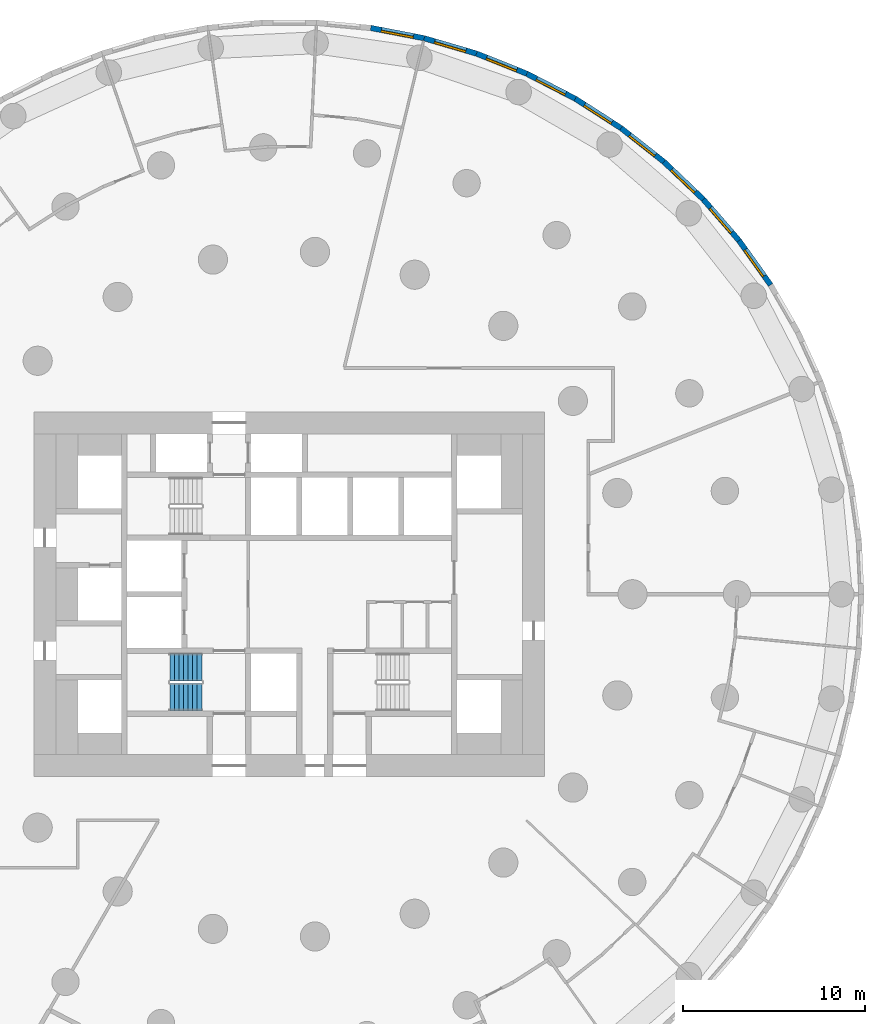
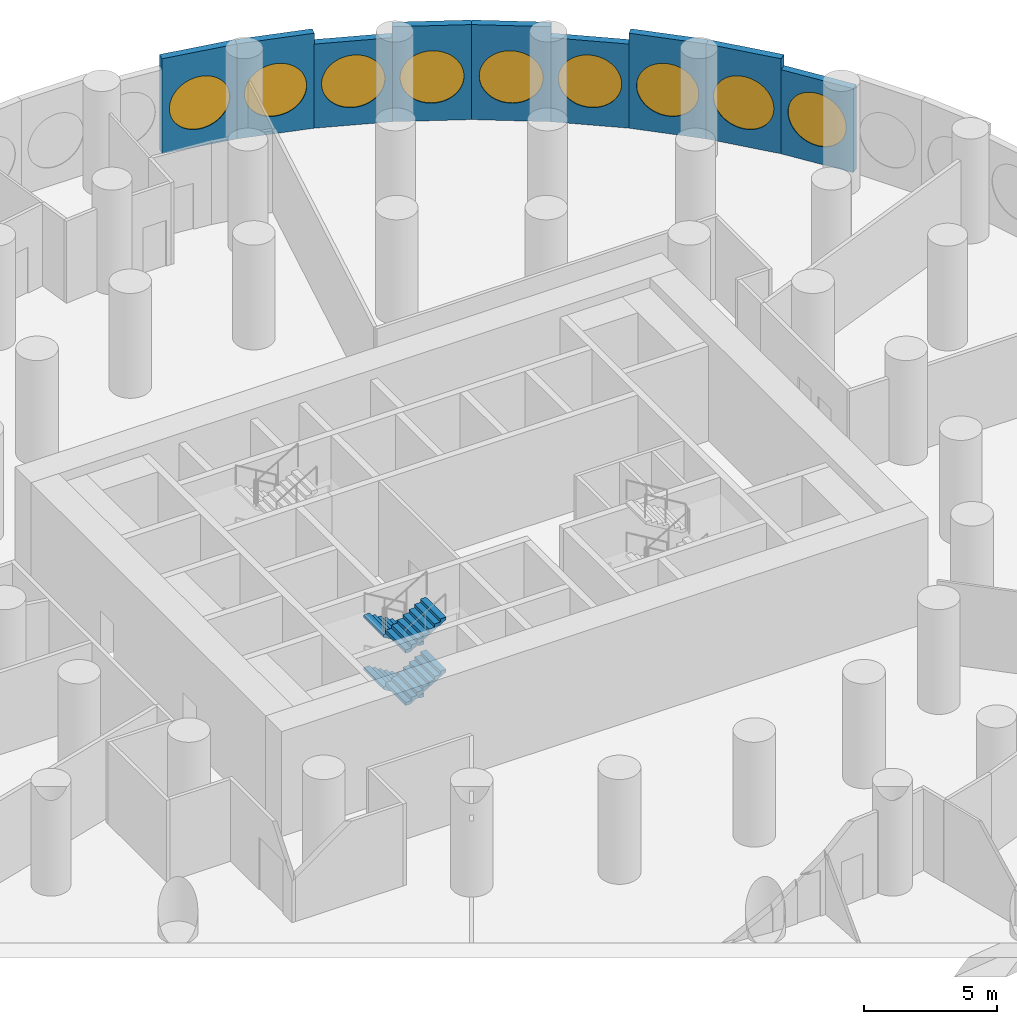
# One storey, part 9 of 11: 9 walls, 9 windows, 4 stair flights, 9 openings, 1 element without a shape of its own.
"""IFC4 building model written with IfcOpenShell, lengths in metres."""

from ifc_helpers import new_model, si_unit, direction, frame, frame_2d, origin, origin_2d, place, context, subcontext, project, spatial, polyline, rectangle, circle, outline, extrude, material, layer, layer_set, type_object, element, fill, aggregate, save


model = new_model("IFC4")

# Units and contexts
model_context = context("Model", 3, precision=1e-05, world=origin(), true_north=direction((0.0, 1.0)))
body_context = subcontext(model_context, "Body", "Model", "MODEL_VIEW")
ifc_project = project(units=[si_unit("LENGTHUNIT", "METRE"), si_unit("AREAUNIT", "SQUARE_METRE"), si_unit("VOLUMEUNIT", "CUBIC_METRE"), si_unit("PLANEANGLEUNIT", "RADIAN"), si_unit("MASSUNIT", "GRAM", prefix="KILO")], contexts=[model_context])

# Site, building, storey
site_placement = place(None, origin())
site = spatial("IfcSite", under=ifc_project, at=site_placement, CompositionType="ELEMENT")
building_placement = place(site_placement, origin())
building = spatial("IfcBuilding", under=site, at=building_placement, Name="Tracery Tower", CompositionType="ELEMENT")
storey_placement = place(building_placement, frame((0.0, 0.0, 23.39990234375)))
storey = spatial("IfcBuildingStorey", under=building, at=storey_placement, Name="L04", CompositionType="ELEMENT", Elevation=23.39990234375)

# Wall, opening, window
ifc_material_1 = material(Name="Precast concrete C50/60", Category="concrete")
ifc_layer_1 = layer(ifc_material_1, 0.300048828125)
ifc_layer_set_1 = layer_set([ifc_layer_1], Name="Facade panel 3000 x 3850")
wall_type_1 = type_object("IfcWallType", Name="Facade panel 3000 x 3850", PredefinedType="SOLIDWALL", material=ifc_layer_set_1)
wall_1_placement = place(storey_placement, frame((26.393798828125, 16.96240234375, 0.0), z_axis=(0.0, 0.0, 1.0), x_axis=(-0.580100533892, 0.814544885551, 0.0)))
wall_1 = element("IfcWall", 1, at=wall_1_placement, inside=storey, type_object=wall_type_1, Name="Facade panel 7 at L04", PredefinedType="SOLIDWALL", context=body_context, shape_type="SweptSolid", body=[
    extrude(rectangle(XDim=2.985595703125, YDim=0.300048828125, at=frame_2d((1.49267578125, 0.0))), origin(), (0.0, 0.0, 1.0), 3.85009765625),
])
opening_1_placement = place(wall_1_placement, frame((1.492919921875, 0.0, 2.0)))
opening_1 = element("IfcOpeningElement", 2, at=opening_1_placement, cuts=wall_1, Name="Opening WN2", PredefinedType="OPENING", context=body_context, shape_type="SweptSolid", body=[
    extrude(circle(Radius=1.199951171875, at=origin_2d()), frame((0.0, 0.159912109375, 0.0), z_axis=(0.0, -1.0, 0.0), x_axis=(1.0, 0.0, 0.0)), (0.0, 0.0, 1.0), 0.320068359375),
])
ifc_material_2 = material(Name="Aluminium frame with tinted double glazing", Category="aluminium")
window_type = type_object("IfcWindowType", Name="Round window 2400", PartitioningType="SINGLE_PANEL", PredefinedType="WINDOW", material=ifc_material_2)
window_1_placement = place(opening_1_placement, origin())
window_1 = element("IfcWindow", 3, at=window_1_placement, inside=storey, type_object=window_type, Name="Round window 7 at L04", OverallHeight=2.39990234375, OverallWidth=2.39990234375, PartitioningType="SINGLE_PANEL", PredefinedType="WINDOW", context=body_context, shape_type="SweptSolid", body=[
    extrude(circle(Radius=1.199951171875, at=origin_2d()), frame((0.0, 0.1201171875, 0.0), z_axis=(0.0, -1.0, 0.0), x_axis=(1.0, 0.0, 0.0)), (0.0, 0.0, 1.0), 0.10009765625),
])
fill(opening_1, window_1)

wall_2_placement = place(storey_placement, frame((20.5458984375, 23.711181640625, 0.0), z_axis=(0.0, 0.0, 1.0), x_axis=(-0.786043032847, 0.618171780747, 0.0)))
wall_2 = element("IfcWall", 4, at=wall_2_placement, inside=storey, type_object=wall_type_1, Name="Facade panel 10 at L04", PredefinedType="SOLIDWALL", context=body_context, shape_type="SweptSolid", body=[
    extrude(rectangle(XDim=2.98583984375, YDim=0.300048828125, at=frame_2d((1.492919921875, 0.0))), origin(), (0.0, 0.0, 1.0), 3.85009765625),
])
opening_2_placement = place(wall_2_placement, frame((1.492919921875, 0.0, 2.0)))
opening_2 = element("IfcOpeningElement", 5, at=opening_2_placement, cuts=wall_2, Name="Opening WN2", PredefinedType="OPENING", context=body_context, shape_type="SweptSolid", body=[
    extrude(circle(Radius=1.199951171875, at=origin_2d()), frame((0.0, 0.159912109375, 0.0), z_axis=(0.0, -1.0, 0.0), x_axis=(1.0, 0.0, 0.0)), (0.0, 0.0, 1.0), 0.320068359375),
])
window_2_placement = place(opening_2_placement, origin())
window_2 = element("IfcWindow", 6, at=window_2_placement, inside=storey, type_object=window_type, Name="Round window 10 at L04", OverallHeight=2.39990234375, OverallWidth=2.39990234375, PartitioningType="SINGLE_PANEL", PredefinedType="WINDOW", context=body_context, shape_type="SweptSolid", body=[
    extrude(circle(Radius=1.199951171875, at=origin_2d()), frame((0.0, 0.1201171875, 0.0), z_axis=(0.0, -1.0, 0.0), x_axis=(1.0, 0.0, 0.0)), (0.0, 0.0, 1.0), 0.10009765625),
])
fill(opening_2, window_2)

wall_3_placement = place(storey_placement, frame((13.033447265625, 28.539306640625, 0.0), z_axis=(0.0, 0.0, 1.0), x_axis=(-0.928380795373, 0.371630325434, 0.0)))
wall_3 = element("IfcWall", 7, at=wall_3_placement, inside=storey, type_object=wall_type_1, Name="Facade panel 13 at L04", PredefinedType="SOLIDWALL", context=body_context, shape_type="SweptSolid", body=[
    extrude(rectangle(XDim=2.98583984375, YDim=0.300048828125, at=frame_2d((1.492919921875, 0.0))), origin(), (0.0, 0.0, 1.0), 3.85009765625),
])
opening_3_placement = place(wall_3_placement, frame((1.492919921875, 0.0, 2.0)))
opening_3 = element("IfcOpeningElement", 8, at=opening_3_placement, cuts=wall_3, Name="Opening WN2", PredefinedType="OPENING", context=body_context, shape_type="SweptSolid", body=[
    extrude(circle(Radius=1.199951171875, at=origin_2d()), frame((0.0, 0.159912109375, 0.0), z_axis=(0.0, -1.0, 0.0), x_axis=(1.0, 0.0, 0.0)), (0.0, 0.0, 1.0), 0.320068359375),
])
window_3_placement = place(opening_3_placement, origin())
window_3 = element("IfcWindow", 9, at=window_3_placement, inside=storey, type_object=window_type, Name="Round window 13 at L04", OverallHeight=2.39990234375, OverallWidth=2.39990234375, PartitioningType="SINGLE_PANEL", PredefinedType="WINDOW", context=body_context, shape_type="SweptSolid", body=[
    extrude(circle(Radius=1.199951171875, at=origin_2d()), frame((0.0, 0.1201171875, 0.0), z_axis=(0.0, -1.0, 0.0), x_axis=(1.0, 0.0, 0.0)), (0.0, 0.0, 1.0), 0.10009765625),
])
fill(opening_3, window_3)

ifc_material_3 = material(Name="Precast concrete C50/60", Category="concrete")
ifc_layer_2 = layer(ifc_material_3, 0.300048828125)
ifc_layer_set_2 = layer_set([ifc_layer_2], Name="Facade panel 3000 x 4350")
wall_type_2 = type_object("IfcWallType", Name="Facade panel 3000 x 4350", PredefinedType="SOLIDWALL", material=ifc_layer_set_2)
wall_4_placement = place(storey_placement, frame((24.661865234375, 19.394287109375, 0.0), z_axis=(0.0, 0.0, 1.0), x_axis=(-0.654809121128, 0.755794294029, 0.0)))
wall_4 = element("IfcWall", 10, at=wall_4_placement, inside=storey, type_object=wall_type_2, Name="Facade panel 8 at L04", PredefinedType="SOLIDWALL", context=body_context, shape_type="SweptSolid", body=[
    extrude(rectangle(XDim=2.98583984375, YDim=0.300048828125, at=frame_2d((1.492919921875, 0.0))), origin(), (0.0, 0.0, 1.0), 4.35009765625),
])
opening_4_placement = place(wall_4_placement, frame((1.492919921875, 0.0, 2.0)))
opening_4 = element("IfcOpeningElement", 11, at=opening_4_placement, cuts=wall_4, Name="Opening WN2", PredefinedType="OPENING", context=body_context, shape_type="SweptSolid", body=[
    extrude(circle(Radius=1.199951171875, at=origin_2d()), frame((0.0, 0.159912109375, 0.0), z_axis=(0.0, -1.0, 0.0), x_axis=(1.0, 0.0, 0.0)), (0.0, 0.0, 1.0), 0.320068359375),
])
window_4_placement = place(opening_4_placement, origin())
window_4 = element("IfcWindow", 12, at=window_4_placement, inside=storey, type_object=window_type, Name="Round window 8 at L04", OverallHeight=2.39990234375, OverallWidth=2.39990234375, PartitioningType="SINGLE_PANEL", PredefinedType="WINDOW", context=body_context, shape_type="SweptSolid", body=[
    extrude(circle(Radius=1.199951171875, at=origin_2d()), frame((0.0, 0.1201171875, 0.0), z_axis=(0.0, -1.0, 0.0), x_axis=(1.0, 0.0, 0.0)), (0.0, 0.0, 1.0), 0.10009765625),
])
fill(opening_4, window_4)

wall_5_placement = place(storey_placement, frame((22.706787109375, 21.65087890625, 0.0), z_axis=(0.0, 0.0, 1.0), x_axis=(-0.723750841228, 0.690061388444, 0.0)))
wall_5 = element("IfcWall", 13, at=wall_5_placement, inside=storey, type_object=wall_type_2, Name="Facade panel 9 at L04", PredefinedType="SOLIDWALL", context=body_context, shape_type="SweptSolid", body=[
    extrude(rectangle(XDim=2.985595703125, YDim=0.300048828125, at=frame_2d((1.49267578125, 0.0))), origin(), (0.0, 0.0, 1.0), 4.35009765625),
])
opening_5_placement = place(wall_5_placement, frame((1.492919921875, 0.0, 2.0)))
opening_5 = element("IfcOpeningElement", 14, at=opening_5_placement, cuts=wall_5, Name="Opening WN2", PredefinedType="OPENING", context=body_context, shape_type="SweptSolid", body=[
    extrude(circle(Radius=1.199951171875, at=origin_2d()), frame((0.0, 0.159912109375, 0.0), z_axis=(0.0, -1.0, 0.0), x_axis=(1.0, 0.0, 0.0)), (0.0, 0.0, 1.0), 0.320068359375),
])
window_5_placement = place(opening_5_placement, origin())
window_5 = element("IfcWindow", 15, at=window_5_placement, inside=storey, type_object=window_type, Name="Round window 9 at L04", OverallHeight=2.39990234375, OverallWidth=2.39990234375, PartitioningType="SINGLE_PANEL", PredefinedType="WINDOW", context=body_context, shape_type="SweptSolid", body=[
    extrude(circle(Radius=1.199951171875, at=origin_2d()), frame((0.0, 0.1201171875, 0.0), z_axis=(0.0, -1.0, 0.0), x_axis=(1.0, 0.0, 0.0)), (0.0, 0.0, 1.0), 0.10009765625),
])
fill(opening_5, window_5)

wall_6_placement = place(storey_placement, frame((18.198974609375, 25.556884765625, 0.0), z_axis=(0.0, 0.0, 1.0), x_axis=(-0.841242231846, 0.540658401727, 0.0)))
wall_6 = element("IfcWall", 16, at=wall_6_placement, inside=storey, type_object=wall_type_2, Name="Facade panel 11 at L04", PredefinedType="SOLIDWALL", context=body_context, shape_type="SweptSolid", body=[
    extrude(rectangle(XDim=2.98583984375, YDim=0.300048828125, at=frame_2d((1.492919921875, 0.0))), origin(), (0.0, 0.0, 1.0), 4.35009765625),
])
opening_6_placement = place(wall_6_placement, frame((1.492919921875, 0.0, 2.0)))
opening_6 = element("IfcOpeningElement", 17, at=opening_6_placement, cuts=wall_6, Name="Opening WN2", PredefinedType="OPENING", context=body_context, shape_type="SweptSolid", body=[
    extrude(circle(Radius=1.199951171875, at=origin_2d()), frame((0.0, 0.159912109375, 0.0), z_axis=(0.0, -1.0, 0.0), x_axis=(1.0, 0.0, 0.0)), (0.0, 0.0, 1.0), 0.320068359375),
])
window_6_placement = place(opening_6_placement, origin())
window_6 = element("IfcWindow", 18, at=window_6_placement, inside=storey, type_object=window_type, Name="Round window 11 at L04", OverallHeight=2.39990234375, OverallWidth=2.39990234375, PartitioningType="SINGLE_PANEL", PredefinedType="WINDOW", context=body_context, shape_type="SweptSolid", body=[
    extrude(circle(Radius=1.199951171875, at=origin_2d()), frame((0.0, 0.1201171875, 0.0), z_axis=(0.0, -1.0, 0.0), x_axis=(1.0, 0.0, 0.0)), (0.0, 0.0, 1.0), 0.10009765625),
])
fill(opening_6, window_6)

wall_7_placement = place(storey_placement, frame((15.687255859375, 27.171142578125, 0.0), z_axis=(0.0, 0.0, 1.0), x_axis=(-0.888831268481, 0.458234630043, 0.0)))
wall_7 = element("IfcWall", 19, at=wall_7_placement, inside=storey, type_object=wall_type_2, Name="Facade panel 12 at L04", PredefinedType="SOLIDWALL", context=body_context, shape_type="SweptSolid", body=[
    extrude(rectangle(XDim=2.98583984375, YDim=0.300048828125, at=frame_2d((1.492919921875, 0.0))), origin(), (0.0, 0.0, 1.0), 4.35009765625),
])
opening_7_placement = place(wall_7_placement, frame((1.492919921875, 0.0, 2.0)))
opening_7 = element("IfcOpeningElement", 20, at=opening_7_placement, cuts=wall_7, Name="Opening WN2", PredefinedType="OPENING", context=body_context, shape_type="SweptSolid", body=[
    extrude(circle(Radius=1.199951171875, at=origin_2d()), frame((0.0, 0.159912109375, 0.0), z_axis=(0.0, -1.0, 0.0), x_axis=(1.0, 0.0, 0.0)), (0.0, 0.0, 1.0), 0.320068359375),
])
window_7_placement = place(opening_7_placement, origin())
window_7 = element("IfcWindow", 21, at=window_7_placement, inside=storey, type_object=window_type, Name="Round window 12 at L04", OverallHeight=2.39990234375, OverallWidth=2.39990234375, PartitioningType="SINGLE_PANEL", PredefinedType="WINDOW", context=body_context, shape_type="SweptSolid", body=[
    extrude(circle(Radius=1.199951171875, at=origin_2d()), frame((0.0, 0.1201171875, 0.0), z_axis=(0.0, -1.0, 0.0), x_axis=(1.0, 0.0, 0.0)), (0.0, 0.0, 1.0), 0.10009765625),
])
fill(opening_7, window_7)

wall_8_placement = place(storey_placement, frame((10.261474609375, 29.64892578125, 0.0), z_axis=(0.0, 0.0, 1.0), x_axis=(-0.959502108153, 0.281701445593, 0.0)))
wall_8 = element("IfcWall", 22, at=wall_8_placement, inside=storey, type_object=wall_type_2, Name="Facade panel 14 at L04", PredefinedType="SOLIDWALL", context=body_context, shape_type="SweptSolid", body=[
    extrude(rectangle(XDim=2.985595703125, YDim=0.300048828125, at=frame_2d((1.49267578125, 0.0))), origin(), (0.0, 0.0, 1.0), 4.35009765625),
])
opening_8_placement = place(wall_8_placement, frame((1.492919921875, 0.0, 2.0)))
opening_8 = element("IfcOpeningElement", 23, at=opening_8_placement, cuts=wall_8, Name="Opening WN2", PredefinedType="OPENING", context=body_context, shape_type="SweptSolid", body=[
    extrude(circle(Radius=1.199951171875, at=origin_2d()), frame((0.0, 0.159912109375, 0.0), z_axis=(0.0, -1.0, 0.0), x_axis=(1.0, 0.0, 0.0)), (0.0, 0.0, 1.0), 0.320068359375),
])
window_8_placement = place(opening_8_placement, origin())
window_8 = element("IfcWindow", 24, at=window_8_placement, inside=storey, type_object=window_type, Name="Round window 14 at L04", OverallHeight=2.39990234375, OverallWidth=2.39990234375, PartitioningType="SINGLE_PANEL", PredefinedType="WINDOW", context=body_context, shape_type="SweptSolid", body=[
    extrude(circle(Radius=1.199951171875, at=origin_2d()), frame((0.0, 0.1201171875, 0.0), z_axis=(0.0, -1.0, 0.0), x_axis=(1.0, 0.0, 0.0)), (0.0, 0.0, 1.0), 0.10009765625),
])
fill(opening_8, window_8)

wall_9_placement = place(storey_placement, frame((7.396728515625, 30.489990234375, 0.0), z_axis=(0.0, 0.0, 1.0), x_axis=(-0.981918853666, 0.189302310646, 0.0)))
wall_9 = element("IfcWall", 25, at=wall_9_placement, inside=storey, type_object=wall_type_2, Name="Facade panel 15 at L04", PredefinedType="SOLIDWALL", context=body_context, shape_type="SweptSolid", body=[
    extrude(rectangle(XDim=2.985595703125, YDim=0.300048828125, at=frame_2d((1.49267578125, 0.0))), origin(), (0.0, 0.0, 1.0), 4.35009765625),
])
opening_9_placement = place(wall_9_placement, frame((1.492919921875, 0.0, 2.0)))
opening_9 = element("IfcOpeningElement", 26, at=opening_9_placement, cuts=wall_9, Name="Opening WN2", PredefinedType="OPENING", context=body_context, shape_type="SweptSolid", body=[
    extrude(circle(Radius=1.199951171875, at=origin_2d()), frame((0.0, 0.159912109375, 0.0), z_axis=(0.0, -1.0, 0.0), x_axis=(1.0, 0.0, 0.0)), (0.0, 0.0, 1.0), 0.320068359375),
])
window_9_placement = place(opening_9_placement, origin())
window_9 = element("IfcWindow", 27, at=window_9_placement, inside=storey, type_object=window_type, Name="Round window 15 at L04", OverallHeight=2.39990234375, OverallWidth=2.39990234375, PartitioningType="SINGLE_PANEL", PredefinedType="WINDOW", context=body_context, shape_type="SweptSolid", body=[
    extrude(circle(Radius=1.199951171875, at=origin_2d()), frame((0.0, 0.1201171875, 0.0), z_axis=(0.0, -1.0, 0.0), x_axis=(1.0, 0.0, 0.0)), (0.0, 0.0, 1.0), 0.10009765625),
])
fill(opening_9, window_9)

# Stair, stair flights
ifc_material_4 = material(Name="Concrete C32/40", Category="concrete")
stair_type = type_object("IfcStairType", Name="Core stair 32 risers", PredefinedType="HALF_TURN_STAIR", material=ifc_material_4)
stair_placement = place(storey_placement, origin())
stair = element("IfcStair", 28, at=stair_placement, inside=storey, type_object=stair_type, Name="L04 stair ST1", PredefinedType="HALF_TURN_STAIR")
ifc_material_5 = material(Name="Concrete C32/40", Category="concrete")
stair_flight_type = type_object("IfcStairFlightType", Name="Core stair flight 8 risers", PredefinedType="STRAIGHT", material=ifc_material_5)
stair_flight_1_placement = place(storey_placement, frame((-4.800048828125, -4.0, 0.0), z_axis=(0.0, 0.0, 1.0), x_axis=(-1.0, 0.0, 0.0)))
stair_flight_1 = element("IfcStairFlight", 29, at=stair_flight_1_placement, type_object=stair_flight_type, Name="ST1 flight 1", NumberOfRisers=8, NumberOfTreads=7, PredefinedType="STRAIGHT", RiserHeight=0.15, TreadLength=0.25, context=body_context, shape_type="SweptSolid", body=[
    extrude(outline(polyline([(0.0, 0.0), (0.0, 0.00244140625), (0.0, 0.0048828125), (0.0, 0.00732421875), (0.0, 0.009765625), (0.0, 0.01220703125), (0.0, 0.0146484375), (0.0, 0.017333984375), (0.0, 0.019775390625), (0.0, 0.022216796875), (0.0, 0.024658203125), (0.0, 0.027099609375), (0.0, 0.029541015625), (0.0, 0.031982421875), (0.0, 0.034423828125), (0.0, 0.036865234375), (0.0, 0.039306640625), (0.0, 0.041748046875), (0.0, 0.044189453125), (0.0, 0.046630859375), (0.0, 0.049072265625), (0.0, 0.0517578125), (0.0, 0.05419921875), (0.0, 0.056640625), (0.0, 0.05908203125), (0.0, 0.0615234375), (0.0, 0.06396484375), (0.0, 0.06640625), (0.0, 0.06884765625), (0.0, 0.0712890625), (0.0, 0.07373046875), (0.0, 0.076171875), (0.0, 0.07861328125), (0.0, 0.0810546875), (0.0, 0.08349609375), (0.0, 0.086181640625), (0.0, 0.088623046875), (0.0, 0.091064453125), (0.0, 0.093505859375), (0.0, 0.095947265625), (0.0, 0.098388671875), (0.0, 0.100830078125), (0.0, 0.103271484375), (0.0, 0.105712890625), (0.0, 0.108154296875), (0.0, 0.110595703125), (0.0, 0.113037109375), (0.0, 0.115478515625), (0.0, 0.117919921875), (0.0, 0.12060546875), (0.0, 0.123046875), (0.0, 0.12548828125), (0.0, 0.1279296875), (0.0, 0.13037109375), (0.0, 0.1328125), (0.0, 0.13525390625), (0.0, 0.1376953125), (0.0, 0.14013671875), (0.0, 0.142578125), (0.0, 0.14501953125), (0.0, 0.1474609375), (0.0, 0.14990234375), (0.25, 0.14990234375), (0.25, 0.300048828125), (0.5, 0.300048828125), (0.5, 0.449951171875), (0.75, 0.449951171875), (0.75, 0.60009765625), (1.0, 0.60009765625), (1.0, 0.75), (1.25, 0.75), (1.25, 0.89990234375), (1.5, 0.89990234375), (1.5, 1.050048828125), (1.75, 1.050048828125), (1.75, 1.048095703125), (1.75, 1.046142578125), (1.75, 1.044189453125), (1.75, 1.042236328125), (1.75, 1.04052734375), (1.75, 1.03857421875), (1.75, 1.03662109375), (1.75, 1.03466796875), (1.75, 1.03271484375), (1.75, 1.03076171875), (1.75, 1.029052734375), (1.75, 1.027099609375), (1.75, 1.025146484375), (1.75, 1.023193359375), (1.75, 1.021240234375), (1.75, 1.019287109375), (1.75, 1.017578125), (1.75, 1.015625), (1.75, 1.013671875), (1.75, 1.01171875), (1.75, 1.009765625), (1.75, 1.0078125), (1.75, 1.006103515625), (1.75, 1.004150390625), (1.75, 1.002197265625), (1.75, 1.000244140625), (1.75, 0.998291015625), (1.75, 0.996337890625), (1.75, 0.994384765625), (1.75, 0.99267578125), (1.75, 0.99072265625), (1.75, 0.98876953125), (1.75, 0.98681640625), (1.75, 0.98486328125), (1.75, 0.98291015625), (1.75, 0.981201171875), (1.75, 0.979248046875), (1.75, 0.977294921875), (1.75, 0.975341796875), (1.75, 0.973388671875), (1.75, 0.971435546875), (1.75, 0.9697265625), (1.75, 0.9677734375), (1.75, 0.9658203125), (1.75, 0.9638671875), (1.75, 0.9619140625), (1.75, 0.9599609375), (1.75, 0.958251953125), (1.75, 0.956298828125), (1.75, 0.954345703125), (1.75, 0.952392578125), (1.75, 0.950439453125), (1.75, 0.948486328125), (1.75, 0.94677734375), (1.75, 0.94482421875), (1.75, 0.94287109375), (1.75, 0.94091796875), (1.75, 0.93896484375), (1.75, 0.93701171875), (1.75, 0.935302734375), (1.75, 0.933349609375), (0.194580078125, 0.0), (0.0, 0.0)])), frame((0.0, 0.75, 0.0), z_axis=(0.0, -1.0, 0.0), x_axis=(1.0, 0.0, 0.0)), (0.0, 0.0, 1.0), 1.5),
])
stair_flight_2_placement = place(storey_placement, frame((-6.550048828125, -5.64990234375, 1.2001953125), z_axis=(0.0, 0.0, 1.0), x_axis=(1.0, 0.0, 0.0)))
stair_flight_2 = element("IfcStairFlight", 30, at=stair_flight_2_placement, type_object=stair_flight_type, Name="ST1 flight 2", NumberOfRisers=8, NumberOfTreads=7, PredefinedType="STRAIGHT", RiserHeight=0.15, TreadLength=0.25, context=body_context, shape_type="SweptSolid", body=[
    extrude(outline(polyline([(0.0, 0.0), (0.0, 0.00244140625), (0.0, 0.0048828125), (0.0, 0.00732421875), (0.0, 0.009765625), (0.0, 0.01220703125), (0.0, 0.0146484375), (0.0, 0.017333984375), (0.0, 0.019775390625), (0.0, 0.022216796875), (0.0, 0.024658203125), (0.0, 0.027099609375), (0.0, 0.029541015625), (0.0, 0.031982421875), (0.0, 0.034423828125), (0.0, 0.036865234375), (0.0, 0.039306640625), (0.0, 0.041748046875), (0.0, 0.044189453125), (0.0, 0.046630859375), (0.0, 0.049072265625), (0.0, 0.0517578125), (0.0, 0.05419921875), (0.0, 0.056640625), (0.0, 0.05908203125), (0.0, 0.0615234375), (0.0, 0.06396484375), (0.0, 0.06640625), (0.0, 0.06884765625), (0.0, 0.0712890625), (0.0, 0.07373046875), (0.0, 0.076171875), (0.0, 0.07861328125), (0.0, 0.0810546875), (0.0, 0.08349609375), (0.0, 0.086181640625), (0.0, 0.088623046875), (0.0, 0.091064453125), (0.0, 0.093505859375), (0.0, 0.095947265625), (0.0, 0.098388671875), (0.0, 0.100830078125), (0.0, 0.103271484375), (0.0, 0.105712890625), (0.0, 0.108154296875), (0.0, 0.110595703125), (0.0, 0.113037109375), (0.0, 0.115478515625), (0.0, 0.117919921875), (0.0, 0.12060546875), (0.0, 0.123046875), (0.0, 0.12548828125), (0.0, 0.1279296875), (0.0, 0.13037109375), (0.0, 0.1328125), (0.0, 0.13525390625), (0.0, 0.1376953125), (0.0, 0.14013671875), (0.0, 0.142578125), (0.0, 0.14501953125), (0.0, 0.1474609375), (0.0, 0.14990234375), (0.25, 0.14990234375), (0.25, 0.300048828125), (0.5, 0.300048828125), (0.5, 0.449951171875), (0.75, 0.449951171875), (0.75, 0.60009765625), (1.0, 0.60009765625), (1.0, 0.75), (1.25, 0.75), (1.25, 0.89990234375), (1.5, 0.89990234375), (1.5, 1.050048828125), (1.75, 1.050048828125), (1.75, 1.048095703125), (1.75, 1.046142578125), (1.75, 1.044189453125), (1.75, 1.042236328125), (1.75, 1.04052734375), (1.75, 1.03857421875), (1.75, 1.03662109375), (1.75, 1.03466796875), (1.75, 1.03271484375), (1.75, 1.03076171875), (1.75, 1.029052734375), (1.75, 1.027099609375), (1.75, 1.025146484375), (1.75, 1.023193359375), (1.75, 1.021240234375), (1.75, 1.019287109375), (1.75, 1.017578125), (1.75, 1.015625), (1.75, 1.013671875), (1.75, 1.01171875), (1.75, 1.009765625), (1.75, 1.0078125), (1.75, 1.006103515625), (1.75, 1.004150390625), (1.75, 1.002197265625), (1.75, 1.000244140625), (1.75, 0.998291015625), (1.75, 0.996337890625), (1.75, 0.994384765625), (1.75, 0.99267578125), (1.75, 0.99072265625), (1.75, 0.98876953125), (1.75, 0.98681640625), (1.75, 0.98486328125), (1.75, 0.98291015625), (1.75, 0.981201171875), (1.75, 0.979248046875), (1.75, 0.977294921875), (1.75, 0.975341796875), (1.75, 0.973388671875), (1.75, 0.971435546875), (1.75, 0.9697265625), (1.75, 0.9677734375), (1.75, 0.9658203125), (1.75, 0.9638671875), (1.75, 0.9619140625), (1.75, 0.9599609375), (1.75, 0.958251953125), (1.75, 0.956298828125), (1.75, 0.954345703125), (1.75, 0.952392578125), (1.75, 0.950439453125), (1.75, 0.948486328125), (1.75, 0.94677734375), (1.75, 0.94482421875), (1.75, 0.94287109375), (1.75, 0.94091796875), (1.75, 0.93896484375), (1.75, 0.93701171875), (1.75, 0.935302734375), (1.75, 0.933349609375), (0.194580078125, 0.0), (0.0, 0.0)])), frame((0.0, 0.75, 0.0), z_axis=(0.0, -1.0, 0.0), x_axis=(1.0, 0.0, 0.0)), (0.0, 0.0, 1.0), 1.5),
])
stair_flight_3_placement = place(storey_placement, frame((-4.800048828125, -4.0, 2.400146484375), z_axis=(0.0, 0.0, 1.0), x_axis=(-1.0, 0.0, 0.0)))
stair_flight_3 = element("IfcStairFlight", 31, at=stair_flight_3_placement, type_object=stair_flight_type, Name="ST1 flight 3", NumberOfRisers=8, NumberOfTreads=7, PredefinedType="STRAIGHT", RiserHeight=0.15, TreadLength=0.25, context=body_context, shape_type="SweptSolid", body=[
    extrude(outline(polyline([(0.0, 0.0), (0.0, 0.00244140625), (0.0, 0.0048828125), (0.0, 0.00732421875), (0.0, 0.009765625), (0.0, 0.01220703125), (0.0, 0.0146484375), (0.0, 0.017333984375), (0.0, 0.019775390625), (0.0, 0.022216796875), (0.0, 0.024658203125), (0.0, 0.027099609375), (0.0, 0.029541015625), (0.0, 0.031982421875), (0.0, 0.034423828125), (0.0, 0.036865234375), (0.0, 0.039306640625), (0.0, 0.041748046875), (0.0, 0.044189453125), (0.0, 0.046630859375), (0.0, 0.049072265625), (0.0, 0.0517578125), (0.0, 0.05419921875), (0.0, 0.056640625), (0.0, 0.05908203125), (0.0, 0.0615234375), (0.0, 0.06396484375), (0.0, 0.06640625), (0.0, 0.06884765625), (0.0, 0.0712890625), (0.0, 0.07373046875), (0.0, 0.076171875), (0.0, 0.07861328125), (0.0, 0.0810546875), (0.0, 0.08349609375), (0.0, 0.086181640625), (0.0, 0.088623046875), (0.0, 0.091064453125), (0.0, 0.093505859375), (0.0, 0.095947265625), (0.0, 0.098388671875), (0.0, 0.100830078125), (0.0, 0.103271484375), (0.0, 0.105712890625), (0.0, 0.108154296875), (0.0, 0.110595703125), (0.0, 0.113037109375), (0.0, 0.115478515625), (0.0, 0.117919921875), (0.0, 0.12060546875), (0.0, 0.123046875), (0.0, 0.12548828125), (0.0, 0.1279296875), (0.0, 0.13037109375), (0.0, 0.1328125), (0.0, 0.13525390625), (0.0, 0.1376953125), (0.0, 0.14013671875), (0.0, 0.142578125), (0.0, 0.14501953125), (0.0, 0.1474609375), (0.0, 0.14990234375), (0.25, 0.14990234375), (0.25, 0.300048828125), (0.5, 0.300048828125), (0.5, 0.449951171875), (0.75, 0.449951171875), (0.75, 0.60009765625), (1.0, 0.60009765625), (1.0, 0.75), (1.25, 0.75), (1.25, 0.89990234375), (1.5, 0.89990234375), (1.5, 1.050048828125), (1.75, 1.050048828125), (1.75, 1.048095703125), (1.75, 1.046142578125), (1.75, 1.044189453125), (1.75, 1.042236328125), (1.75, 1.04052734375), (1.75, 1.03857421875), (1.75, 1.03662109375), (1.75, 1.03466796875), (1.75, 1.03271484375), (1.75, 1.03076171875), (1.75, 1.029052734375), (1.75, 1.027099609375), (1.75, 1.025146484375), (1.75, 1.023193359375), (1.75, 1.021240234375), (1.75, 1.019287109375), (1.75, 1.017578125), (1.75, 1.015625), (1.75, 1.013671875), (1.75, 1.01171875), (1.75, 1.009765625), (1.75, 1.0078125), (1.75, 1.006103515625), (1.75, 1.004150390625), (1.75, 1.002197265625), (1.75, 1.000244140625), (1.75, 0.998291015625), (1.75, 0.996337890625), (1.75, 0.994384765625), (1.75, 0.99267578125), (1.75, 0.99072265625), (1.75, 0.98876953125), (1.75, 0.98681640625), (1.75, 0.98486328125), (1.75, 0.98291015625), (1.75, 0.981201171875), (1.75, 0.979248046875), (1.75, 0.977294921875), (1.75, 0.975341796875), (1.75, 0.973388671875), (1.75, 0.971435546875), (1.75, 0.9697265625), (1.75, 0.9677734375), (1.75, 0.9658203125), (1.75, 0.9638671875), (1.75, 0.9619140625), (1.75, 0.9599609375), (1.75, 0.958251953125), (1.75, 0.956298828125), (1.75, 0.954345703125), (1.75, 0.952392578125), (1.75, 0.950439453125), (1.75, 0.948486328125), (1.75, 0.94677734375), (1.75, 0.94482421875), (1.75, 0.94287109375), (1.75, 0.94091796875), (1.75, 0.93896484375), (1.75, 0.93701171875), (1.75, 0.935302734375), (1.75, 0.933349609375), (0.194580078125, 0.0), (0.0, 0.0)])), frame((0.0, 0.75, 0.0), z_axis=(0.0, -1.0, 0.0), x_axis=(1.0, 0.0, 0.0)), (0.0, 0.0, 1.0), 1.5),
])
stair_flight_4_placement = place(storey_placement, frame((-6.550048828125, -5.64990234375, 3.60009765625), z_axis=(0.0, 0.0, 1.0), x_axis=(1.0, 0.0, 0.0)))
stair_flight_4 = element("IfcStairFlight", 32, at=stair_flight_4_placement, type_object=stair_flight_type, Name="ST1 flight 4", NumberOfRisers=8, NumberOfTreads=7, PredefinedType="STRAIGHT", RiserHeight=0.15, TreadLength=0.25, context=body_context, shape_type="SweptSolid", body=[
    extrude(outline(polyline([(0.0, 0.0), (0.0, 0.00244140625), (0.0, 0.0048828125), (0.0, 0.00732421875), (0.0, 0.009765625), (0.0, 0.01220703125), (0.0, 0.0146484375), (0.0, 0.017333984375), (0.0, 0.019775390625), (0.0, 0.022216796875), (0.0, 0.024658203125), (0.0, 0.027099609375), (0.0, 0.029541015625), (0.0, 0.031982421875), (0.0, 0.034423828125), (0.0, 0.036865234375), (0.0, 0.039306640625), (0.0, 0.041748046875), (0.0, 0.044189453125), (0.0, 0.046630859375), (0.0, 0.049072265625), (0.0, 0.0517578125), (0.0, 0.05419921875), (0.0, 0.056640625), (0.0, 0.05908203125), (0.0, 0.0615234375), (0.0, 0.06396484375), (0.0, 0.06640625), (0.0, 0.06884765625), (0.0, 0.0712890625), (0.0, 0.07373046875), (0.0, 0.076171875), (0.0, 0.07861328125), (0.0, 0.0810546875), (0.0, 0.08349609375), (0.0, 0.086181640625), (0.0, 0.088623046875), (0.0, 0.091064453125), (0.0, 0.093505859375), (0.0, 0.095947265625), (0.0, 0.098388671875), (0.0, 0.100830078125), (0.0, 0.103271484375), (0.0, 0.105712890625), (0.0, 0.108154296875), (0.0, 0.110595703125), (0.0, 0.113037109375), (0.0, 0.115478515625), (0.0, 0.117919921875), (0.0, 0.12060546875), (0.0, 0.123046875), (0.0, 0.12548828125), (0.0, 0.1279296875), (0.0, 0.13037109375), (0.0, 0.1328125), (0.0, 0.13525390625), (0.0, 0.1376953125), (0.0, 0.14013671875), (0.0, 0.142578125), (0.0, 0.14501953125), (0.0, 0.1474609375), (0.0, 0.14990234375), (0.25, 0.14990234375), (0.25, 0.300048828125), (0.5, 0.300048828125), (0.5, 0.449951171875), (0.75, 0.449951171875), (0.75, 0.60009765625), (1.0, 0.60009765625), (1.0, 0.75), (1.25, 0.75), (1.25, 0.89990234375), (1.5, 0.89990234375), (1.5, 1.050048828125), (1.75, 1.050048828125), (1.75, 1.048095703125), (1.75, 1.046142578125), (1.75, 1.044189453125), (1.75, 1.042236328125), (1.75, 1.04052734375), (1.75, 1.03857421875), (1.75, 1.03662109375), (1.75, 1.03466796875), (1.75, 1.03271484375), (1.75, 1.03076171875), (1.75, 1.029052734375), (1.75, 1.027099609375), (1.75, 1.025146484375), (1.75, 1.023193359375), (1.75, 1.021240234375), (1.75, 1.019287109375), (1.75, 1.017578125), (1.75, 1.015625), (1.75, 1.013671875), (1.75, 1.01171875), (1.75, 1.009765625), (1.75, 1.0078125), (1.75, 1.006103515625), (1.75, 1.004150390625), (1.75, 1.002197265625), (1.75, 1.000244140625), (1.75, 0.998291015625), (1.75, 0.996337890625), (1.75, 0.994384765625), (1.75, 0.99267578125), (1.75, 0.99072265625), (1.75, 0.98876953125), (1.75, 0.98681640625), (1.75, 0.98486328125), (1.75, 0.98291015625), (1.75, 0.981201171875), (1.75, 0.979248046875), (1.75, 0.977294921875), (1.75, 0.975341796875), (1.75, 0.973388671875), (1.75, 0.971435546875), (1.75, 0.9697265625), (1.75, 0.9677734375), (1.75, 0.9658203125), (1.75, 0.9638671875), (1.75, 0.9619140625), (1.75, 0.9599609375), (1.75, 0.958251953125), (1.75, 0.956298828125), (1.75, 0.954345703125), (1.75, 0.952392578125), (1.75, 0.950439453125), (1.75, 0.948486328125), (1.75, 0.94677734375), (1.75, 0.94482421875), (1.75, 0.94287109375), (1.75, 0.94091796875), (1.75, 0.93896484375), (1.75, 0.93701171875), (1.75, 0.935302734375), (1.75, 0.933349609375), (0.194580078125, 0.0), (0.0, 0.0)])), frame((0.0, 0.75, 0.0), z_axis=(0.0, -1.0, 0.0), x_axis=(1.0, 0.0, 0.0)), (0.0, 0.0, 1.0), 1.5),
])
aggregate(stair, [stair_flight_1, stair_flight_2, stair_flight_3, stair_flight_4])

save(model, "model.ifc")
